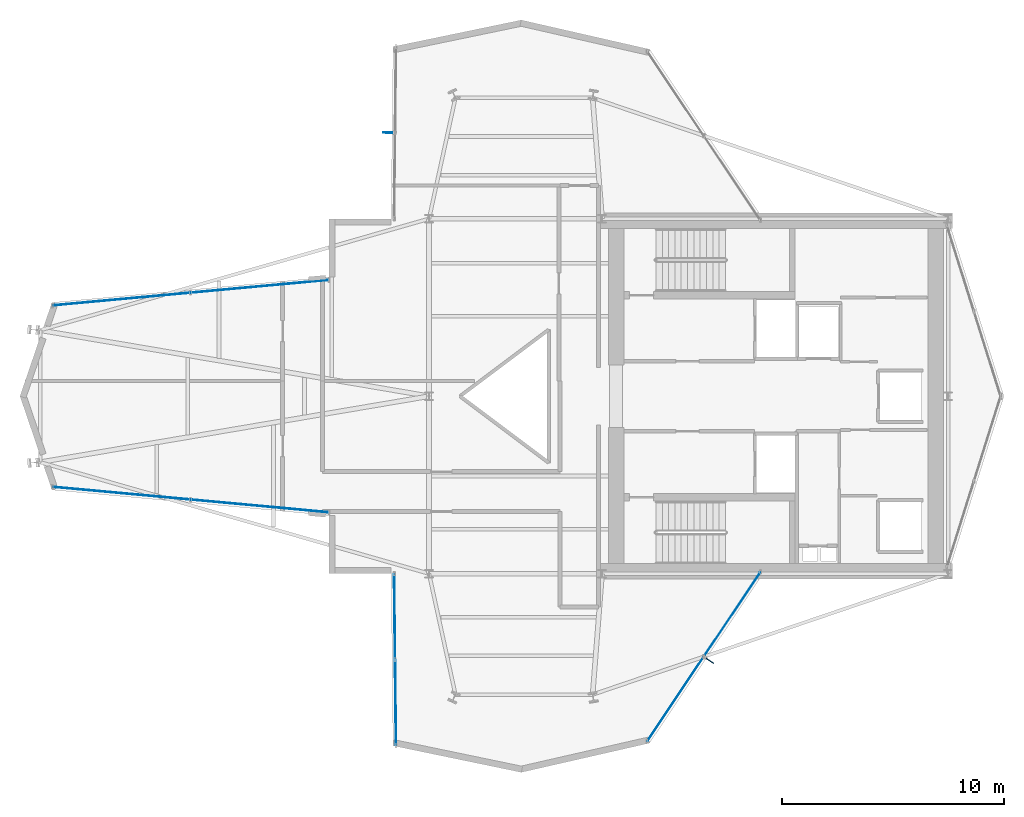
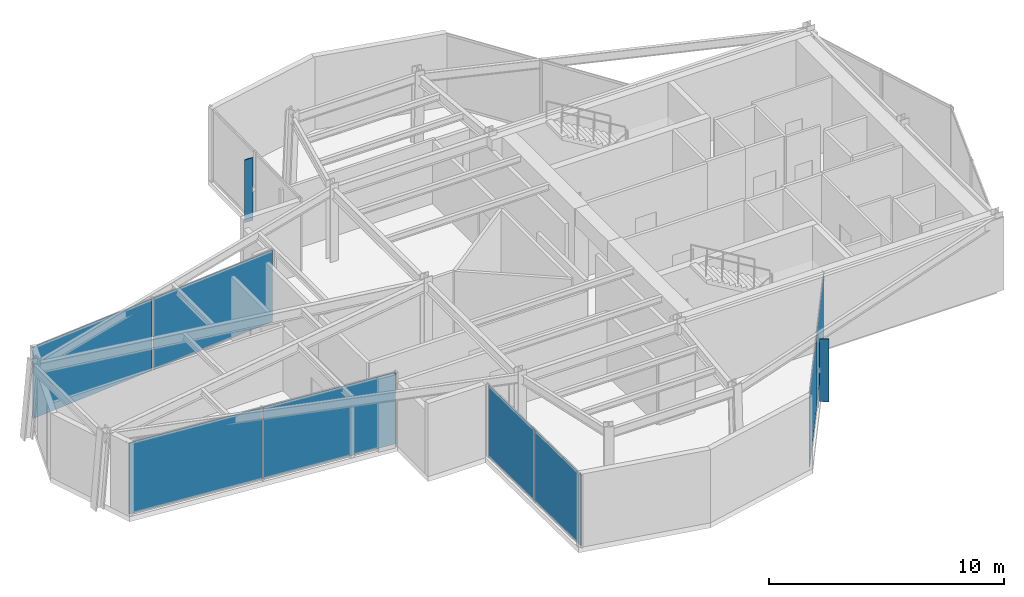
# One storey, part 17 of 21: 10 plates, 4 elements without a shape of their own.
"""IFC4 building model written with IfcOpenShell, lengths in metres."""

from ifc_helpers import new_model, si_unit, direction, frame, origin, origin_2d, place, context, subcontext, project, spatial, rectangle, extrude, material, layer, layer_set, type_object, element, aggregate, save


model = new_model("IFC4")

# Units and contexts
model_context = context("Model", 3, precision=1e-05, world=origin(), true_north=direction((0.0, 1.0)))
body_context = subcontext(model_context, "Body", "Model", "MODEL_VIEW")
ifc_project = project(units=[si_unit("LENGTHUNIT", "METRE"), si_unit("AREAUNIT", "SQUARE_METRE"), si_unit("VOLUMEUNIT", "CUBIC_METRE"), si_unit("PLANEANGLEUNIT", "RADIAN"), si_unit("MASSUNIT", "GRAM", prefix="KILO")], contexts=[model_context])

# Site, building, storey
site_placement = place(None, origin())
site = spatial("IfcSite", under=ifc_project, at=site_placement, CompositionType="ELEMENT")
building_placement = place(site_placement, origin())
building = spatial("IfcBuilding", under=site, at=building_placement, Name="Veymaron Broadcast Tower", CompositionType="ELEMENT")
storey_placement = place(building_placement, frame((0.0, 0.0, 212.10009765625)))
storey = spatial("IfcBuildingStorey", under=building, at=storey_placement, Name="L49", CompositionType="ELEMENT", Elevation=212.10009765625)

# Curtain wall, plates
ifc_material_1 = material(Name="Anodised aluminium AA 6063-T6 and laminated low-E dark glass", Category="aluminium")
ifc_layer_1 = layer(ifc_material_1, 0.179931640625)
ifc_layer_set_1 = layer_set([ifc_layer_1], Name="Anodised aluminium AA 6063-T6 and laminated low-E dark glass")
curtain_wall_type = type_object("IfcCurtainWallType", Name="CW-SYS-05", PredefinedType="NOTDEFINED", material=ifc_layer_set_1)
curtain_wall_1_placement = place(storey_placement, origin())
curtain_wall_1 = element("IfcCurtainWall", 1, at=curtain_wall_1_placement, inside=storey, type_object=curtain_wall_type, Name="L49 dark-glass curtain wall CW-L49-E11-1", PredefinedType="NOTDEFINED")
ifc_material_2 = material(Name="Double-silver solar-control dark glass IGU 32 mm", Category="glass")
ifc_layer_2 = layer(ifc_material_2, 0.031982421875)
ifc_layer_set_2 = layer_set([ifc_layer_2], Name="Double-silver solar-control dark glass IGU 32 mm")
plate_type_1 = type_object("IfcPlateType", Name="CW-PNL-02", PredefinedType="CURTAIN_PANEL", material=ifc_layer_set_2)
plate_1_placement = place(storey_placement, frame((23.572998046875, 28.95068359375, 0.0400390625), z_axis=(0.0, 0.0, 1.0), x_axis=(-0.995777734666, -0.091797075901, 0.0)))
plate_1 = element("IfcPlate", 2, at=plate_1_placement, type_object=plate_type_1, Name="CW-L49-E11-1 unitised curtain panel 0", PredefinedType="CURTAIN_PANEL", context=body_context, shape_type="SweptSolid", body=[
    extrude(rectangle(XDim=6.20654296875, YDim=0.031982421875, at=origin_2d()), origin(), (0.0, 0.0, 1.0), 3.7099609375),
])
plate_2_placement = place(storey_placement, frame((17.3330078125, 28.375244140625, 0.0400390625), z_axis=(0.0, 0.0, 1.0), x_axis=(-0.995777734666, -0.091797075901, 0.0)))
plate_2 = element("IfcPlate", 3, at=plate_2_placement, type_object=plate_type_1, Name="CW-L49-E11-1 unitised curtain panel 1", PredefinedType="CURTAIN_PANEL", context=body_context, shape_type="SweptSolid", body=[
    extrude(rectangle(XDim=6.20654296875, YDim=0.031982421875, at=origin_2d()), origin(), (0.0, 0.0, 1.0), 3.7099609375),
])
aggregate(curtain_wall_1, [plate_1, plate_2])

curtain_wall_2_placement = place(storey_placement, origin())
curtain_wall_2 = element("IfcCurtainWall", 4, at=curtain_wall_2_placement, inside=storey, type_object=curtain_wall_type, Name="L49 dark-glass curtain wall CW-L49-E14-1", PredefinedType="NOTDEFINED")
plate_3_placement = place(storey_placement, frame((17.3330078125, 19.624755859375, 0.0400390625), z_axis=(0.0, 0.0, 1.0), x_axis=(0.995777734666, -0.091797075901, 0.0)))
plate_3 = element("IfcPlate", 5, at=plate_3_placement, type_object=plate_type_1, Name="CW-L49-E14-1 unitised curtain panel 0", PredefinedType="CURTAIN_PANEL", context=body_context, shape_type="SweptSolid", body=[
    extrude(rectangle(XDim=6.20654296875, YDim=0.031982421875, at=origin_2d()), origin(), (0.0, 0.0, 1.0), 3.7099609375),
])
plate_4_placement = place(storey_placement, frame((23.572998046875, 19.04931640625, 0.0400390625), z_axis=(0.0, 0.0, 1.0), x_axis=(0.995777734666, -0.091797075901, 0.0)))
plate_4 = element("IfcPlate", 6, at=plate_4_placement, type_object=plate_type_1, Name="CW-L49-E14-1 unitised curtain panel 1", PredefinedType="CURTAIN_PANEL", context=body_context, shape_type="SweptSolid", body=[
    extrude(rectangle(XDim=6.20654296875, YDim=0.031982421875, at=origin_2d()), origin(), (0.0, 0.0, 1.0), 3.7099609375),
])
aggregate(curtain_wall_2, [plate_3, plate_4])

curtain_wall_3_placement = place(storey_placement, origin())
curtain_wall_3 = element("IfcCurtainWall", 7, at=curtain_wall_3_placement, inside=storey, type_object=curtain_wall_type, Name="L49 dark-glass curtain wall CW-L49-E17-1", PredefinedType="NOTDEFINED")
plate_5_placement = place(storey_placement, frame((29.650634765625, 14.0615234375, 0.0400390625), z_axis=(0.0, 0.0, 1.0), x_axis=(0.011152422724, -0.9999378098, 0.0)))
plate_5 = element("IfcPlate", 8, at=plate_5_placement, type_object=plate_type_1, Name="CW-L49-E17-1 unitised curtain panel 0", PredefinedType="CURTAIN_PANEL", context=body_context, shape_type="SweptSolid", body=[
    extrude(rectangle(XDim=3.8203125, YDim=0.031982421875, at=origin_2d()), origin(), (0.0, 0.0, 1.0), 3.7099609375),
])
plate_6_placement = place(storey_placement, frame((29.69384765625, 10.181640625, 0.0400390625), z_axis=(0.0, 0.0, 1.0), x_axis=(0.011152422724, -0.9999378098, 0.0)))
plate_6 = element("IfcPlate", 9, at=plate_6_placement, type_object=plate_type_1, Name="CW-L49-E17-1 unitised curtain panel 1", PredefinedType="CURTAIN_PANEL", context=body_context, shape_type="SweptSolid", body=[
    extrude(rectangle(XDim=3.8203125, YDim=0.031982421875, at=origin_2d()), origin(), (0.0, 0.0, 1.0), 3.7099609375),
])
aggregate(curtain_wall_3, [plate_5, plate_6])

curtain_wall_4_placement = place(storey_placement, origin())
curtain_wall_4 = element("IfcCurtainWall", 10, at=curtain_wall_4_placement, inside=storey, type_object=curtain_wall_type, Name="L49 dark-glass curtain wall CW-L49-E20-1", PredefinedType="NOTDEFINED")
plate_7_placement = place(storey_placement, frame((42.30810546875, 10.347900390625, 0.0400390625), z_axis=(0.0, 0.0, 1.0), x_axis=(0.556658147909, 0.830741660426, 0.0)))
plate_7 = element("IfcPlate", 11, at=plate_7_placement, type_object=plate_type_1, Name="CW-L49-E20-1 unitised curtain panel 0", PredefinedType="CURTAIN_PANEL", context=body_context, shape_type="SweptSolid", body=[
    extrude(rectangle(XDim=4.538330078125, YDim=0.031982421875, at=origin_2d()), origin(), (0.0, 0.0, 1.0), 3.7099609375),
])
plate_8_placement = place(storey_placement, frame((44.867919921875, 14.16796875, 0.0400390625), z_axis=(0.0, 0.0, 1.0), x_axis=(0.556658147909, 0.830741660426, 0.0)))
plate_8 = element("IfcPlate", 12, at=plate_8_placement, type_object=plate_type_1, Name="CW-L49-E20-1 unitised curtain panel 1", PredefinedType="CURTAIN_PANEL", context=body_context, shape_type="SweptSolid", body=[
    extrude(rectangle(XDim=4.538330078125, YDim=0.031982421875, at=origin_2d()), origin(), (0.0, 0.0, 1.0), 3.7099609375),
])
aggregate(curtain_wall_4, [plate_7, plate_8])

# Plates
ifc_material_3 = material(Name="Dark-anodised aluminium AA 6061-T6", Category="aluminium")
ifc_layer_3 = layer(ifc_material_3, 0.031982421875)
ifc_layer_set_3 = layer_set([ifc_layer_3], Name="Dark-anodised aluminium AA 6061-T6")
plate_type_2 = type_object("IfcPlateType", Name="FIN-CHEV-03", PredefinedType="USERDEFINED", material=ifc_layer_set_3)
for number, where, z_axis, x_axis, name in (
    (13, (29.34228515625, 35.882080078125, 0.26513671875), (0.0, 0.0, 1.0), (-0.9999378098, 0.011152422724, 0.0), "CW-L49-E8-1 chevron fin 1"),
    (14, (43.862060546875, 12.07421875, 0.26513671875), (0.0, 0.0, 1.0), (0.830741660426, -0.556658147909, 0.0), "CW-L49-E20-1 chevron fin 1"),
):
    element("IfcPlate", number, at=place(storey_placement, frame(where, z_axis=z_axis, x_axis=x_axis)), inside=storey, type_object=plate_type_2, Name=name, ObjectType="FIN", PredefinedType="USERDEFINED", context=body_context, shape_type="SweptSolid", body=[
        extrude(rectangle(XDim=0.39990234375, YDim=0.034912109375, at=origin_2d()), origin(), (0.0, 0.0, 1.0), 3.259521484375),
    ])

save(model, "model.ifc")
